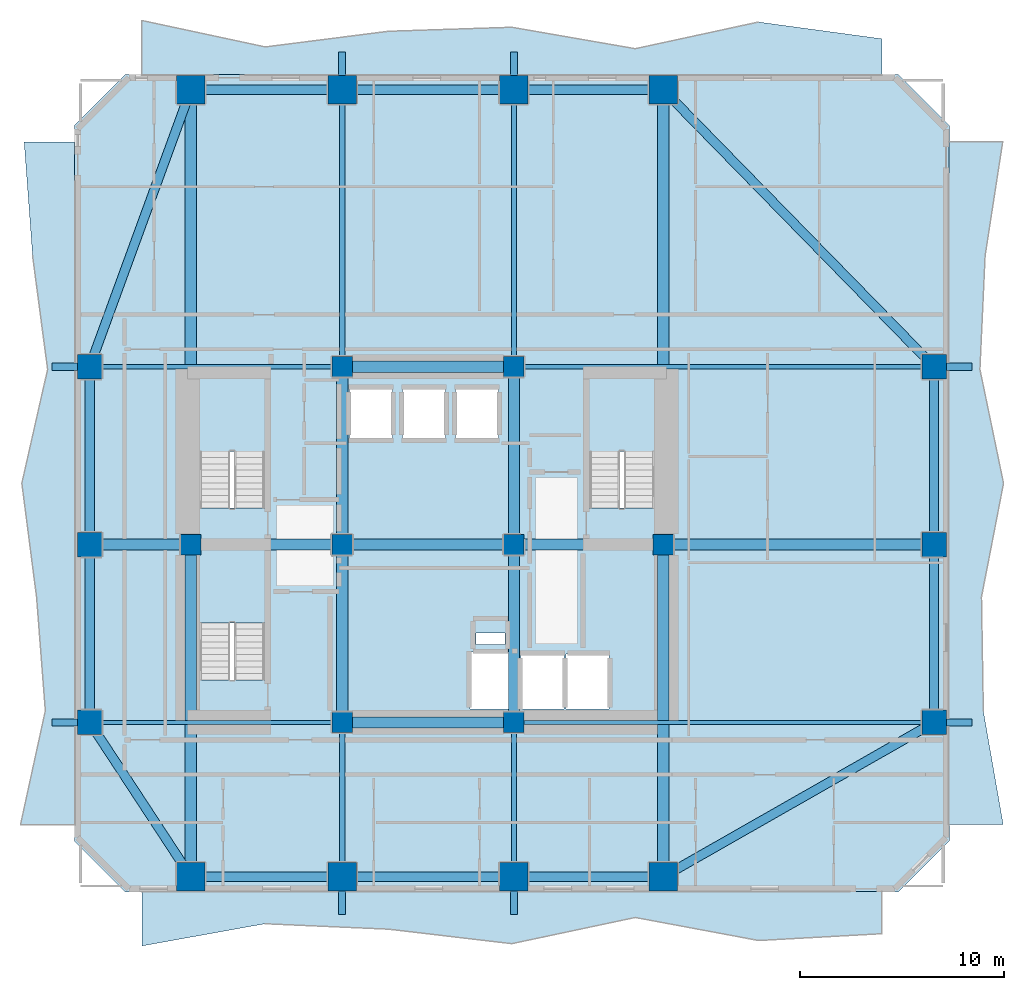
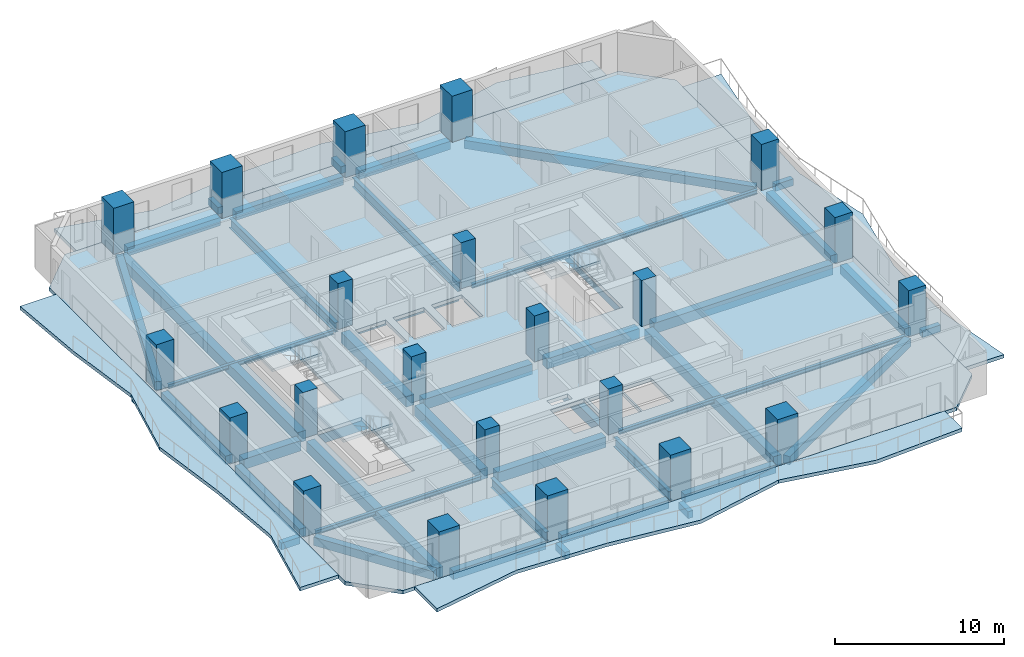
# One storey, part 1 of 11: 45 beams, 22 columns, 8 slabs, 3 elements without a shape of their own.
"""IFC4 building model written with IfcOpenShell, lengths in metres."""

from ifc_helpers import new_model, si_unit, direction, frame, origin, origin_2d, place, context, subcontext, project, spatial, polyline, rectangle, i_section, outline, extrude, material, layer, layer_set, material_profile, profile_set, type_object, element, aggregate, save


model = new_model("IFC4")

# Units and contexts
model_context = context("Model", 3, precision=1e-05, world=origin(), true_north=direction((0.0, 1.0)))
body_context = subcontext(model_context, "Body", "Model", "MODEL_VIEW")
ifc_project = project(units=[si_unit("LENGTHUNIT", "METRE"), si_unit("AREAUNIT", "SQUARE_METRE"), si_unit("VOLUMEUNIT", "CUBIC_METRE"), si_unit("PLANEANGLEUNIT", "RADIAN"), si_unit("MASSUNIT", "GRAM", prefix="KILO")], contexts=[model_context])

# Site, building, storey
site_placement = place(None, origin())
site = spatial("IfcSite", under=ifc_project, at=site_placement, CompositionType="ELEMENT")
building_placement = place(site_placement, origin())
building = spatial("IfcBuilding", under=site, at=building_placement, Name="Solanera Arch Residences", CompositionType="ELEMENT")
storey_placement = place(building_placement, frame((0.0, 0.0, 71.800048828125)))
storey = spatial("IfcBuildingStorey", under=building, at=storey_placement, Name="L20", CompositionType="ELEMENT", Elevation=71.800048828125)

# Columns
ifc_material_1 = material(Name="Concrete C55/67 (f'c = 60 MPa)", Category="concrete")
ifc_material_profile_1 = material_profile(ifc_material_1, rectangle(XDim=1.0, YDim=1.0, at=origin_2d()))
ifc_profile_set_1 = profile_set([ifc_material_profile_1], Name="Concrete C55/67 (f'c = 60 MPa)")
column_type_1 = type_object("IfcColumnType", Name="Structural Column RC-COL-1000X1000", PredefinedType="COLUMN", material=ifc_profile_set_1)
for number, where, z_axis, x_axis, name in (
    (1, (20.800048828125, 22.0, 0.0), (0.0, 0.0, 1.0), (1.0, 0.0, 0.0), "COL-L20-CB-SW"),
    (2, (29.199951171875, 22.0, 0.0), (0.0, 0.0, 1.0), (1.0, 0.0, 0.0), "COL-L20-CB-SE"),
    (3, (20.800048828125, 39.39990234375, 0.0), (0.0, 0.0, 1.0), (1.0, 0.0, 0.0), "COL-L20-CB-NW"),
    (4, (29.199951171875, 39.39990234375, 0.0), (0.0, 0.0, 1.0), (1.0, 0.0, 0.0), "COL-L20-CB-NE"),
    (5, (13.39990234375, 30.699951171875, 0.0), (0.0, 0.0, 1.0), (1.0, 0.0, 0.0), "COL-L20-CB-WW"),
    (6, (36.5, 30.699951171875, 0.0), (0.0, 0.0, 1.0), (1.0, 0.0, 0.0), "COL-L20-CB-EE"),
    (7, (20.800048828125, 30.699951171875, 0.0), (0.0, 0.0, 1.0), (1.0, 0.0, 0.0), "COL-L20-CORE-W"),
    (8, (29.199951171875, 30.699951171875, 0.0), (0.0, 0.0, 1.0), (1.0, 0.0, 0.0), "COL-L20-CORE-E"),
):
    element("IfcColumn", number, at=place(storey_placement, frame(where, z_axis=z_axis, x_axis=x_axis)), inside=storey, type_object=column_type_1, Name=name, PredefinedType="COLUMN", context=body_context, shape_type="SweptSolid", body=[
        extrude(rectangle(XDim=1.0, YDim=1.0, at=origin_2d()), origin(), (0.0, 0.0, 1.0), 3.320068359375),
    ])
ifc_material_2 = material(Name="Concrete C55/67 (f'c = 60 MPa)", Category="concrete")
ifc_material_profile_2 = material_profile(ifc_material_2, rectangle(XDim=1.199951171875, YDim=1.199951171875, at=origin_2d()))
ifc_profile_set_2 = profile_set([ifc_material_profile_2], Name="Concrete C55/67 (f'c = 60 MPa)")
column_type_2 = type_object("IfcColumnType", Name="Structural Column RC-COL-1200X1200", PredefinedType="COLUMN", material=ifc_profile_set_2)
for number, where, z_axis, x_axis, name in (
    (9, (8.449951171875, 22.0, 0.0), (0.0, 0.0, 1.0), (1.0, 0.0, 0.0), "COL-L20-TWR-09"),
    (10, (49.75, 22.0, 0.0), (0.0, 0.0, 1.0), (1.0, 0.0, 0.0), "COL-L20-TWR-10"),
    (11, (8.449951171875, 30.699951171875, 0.0), (0.0, 0.0, 1.0), (1.0, 0.0, 0.0), "COL-L20-TWR-11"),
    (12, (49.75, 30.699951171875, 0.0), (0.0, 0.0, 1.0), (1.0, 0.0, 0.0), "COL-L20-TWR-12"),
    (13, (8.449951171875, 39.39990234375, 0.0), (0.0, 0.0, 1.0), (1.0, 0.0, 0.0), "COL-L20-TWR-13"),
    (14, (49.75, 39.39990234375, 0.0), (0.0, 0.0, 1.0), (1.0, 0.0, 0.0), "COL-L20-TWR-14"),
):
    element("IfcColumn", number, at=place(storey_placement, frame(where, z_axis=z_axis, x_axis=x_axis)), inside=storey, type_object=column_type_2, Name=name, PredefinedType="COLUMN", context=body_context, shape_type="SweptSolid", body=[
        extrude(rectangle(XDim=1.199951171875, YDim=1.199951171875, at=origin_2d()), origin(), (0.0, 0.0, 1.0), 3.320068359375),
    ])
ifc_material_3 = material(Name="Concrete C55/67 (f'c = 60 MPa)", Category="concrete")
ifc_material_profile_3 = material_profile(ifc_material_3, rectangle(XDim=1.39990234375, YDim=1.39990234375, at=origin_2d()))
ifc_profile_set_3 = profile_set([ifc_material_profile_3], Name="Concrete C55/67 (f'c = 60 MPa)")
column_type_3 = type_object("IfcColumnType", Name="Structural Column RC-COL-1400X1400", PredefinedType="COLUMN", material=ifc_profile_set_3)
for number, where, z_axis, x_axis, name in (
    (15, (13.39990234375, 14.449951171875, 0.0), (0.0, 0.0, 1.0), (1.0, 0.0, 0.0), "COL-L20-TWR-01"),
    (16, (13.39990234375, 52.949951171875, 0.0), (0.0, 0.0, 1.0), (1.0, 0.0, 0.0), "COL-L20-TWR-02"),
    (17, (20.800048828125, 14.449951171875, 0.0), (0.0, 0.0, 1.0), (1.0, 0.0, 0.0), "COL-L20-TWR-03"),
    (18, (20.800048828125, 52.949951171875, 0.0), (0.0, 0.0, 1.0), (1.0, 0.0, 0.0), "COL-L20-TWR-04"),
    (19, (29.199951171875, 14.449951171875, 0.0), (0.0, 0.0, 1.0), (1.0, 0.0, 0.0), "COL-L20-TWR-05"),
    (20, (29.199951171875, 52.949951171875, 0.0), (0.0, 0.0, 1.0), (1.0, 0.0, 0.0), "COL-L20-TWR-06"),
    (21, (36.5, 14.449951171875, 0.0), (0.0, 0.0, 1.0), (1.0, 0.0, 0.0), "COL-L20-TWR-07"),
    (22, (36.5, 52.949951171875, 0.0), (0.0, 0.0, 1.0), (1.0, 0.0, 0.0), "COL-L20-TWR-08"),
):
    element("IfcColumn", number, at=place(storey_placement, frame(where, z_axis=z_axis, x_axis=x_axis)), inside=storey, type_object=column_type_3, Name=name, PredefinedType="COLUMN", context=body_context, shape_type="SweptSolid", body=[
        extrude(rectangle(XDim=1.39990234375, YDim=1.39990234375, at=origin_2d()), origin(), (0.0, 0.0, 1.0), 3.320068359375),
    ])

# Beams
ifc_material_4 = material(Name="Concrete C40/50 (f'c = 45 MPa)", Category="concrete")
ifc_material_profile_4 = material_profile(ifc_material_4, rectangle(XDim=0.35009765625, YDim=0.5, at=origin_2d()))
ifc_profile_set_4 = profile_set([ifc_material_profile_4], Name="Concrete C40/50 (f'c = 45 MPa)")
beam_type_1 = type_object("IfcBeamType", Name="BM-BALC-RIB", PredefinedType="BEAM", material=ifc_profile_set_4)
for number, where, z_axis, x_axis, name in (
    (23, (20.800048828125, 12.60009765625, -0.5), (0.0, 1.0, 0.0), (-1.0, 0.0, 0.0), "BM-L20-BRIB-S1"),
    (24, (29.199951171875, 12.60009765625, -0.5), (0.0, 1.0, 0.0), (-1.0, 0.0, 0.0), "BM-L20-BRIB-S2"),
):
    element("IfcBeam", number, at=place(storey_placement, frame(where, z_axis=z_axis, x_axis=x_axis)), inside=storey, type_object=beam_type_1, Name=name, PredefinedType="BEAM", context=body_context, shape_type="SweptSolid", body=[
        extrude(rectangle(XDim=0.35009765625, YDim=0.5, at=origin_2d()), origin(), (0.0, 0.0, 1.0), 1.14990234375),
    ])
for number, where, z_axis, x_axis, name in (
    (25, (20.800048828125, 53.64990234375, -0.5), (0.0, 1.0, 0.0), (-1.0, 0.0, 0.0), "BM-L20-BRIB-N1"),
    (26, (29.199951171875, 53.64990234375, -0.5), (0.0, 1.0, 0.0), (-1.0, 0.0, 0.0), "BM-L20-BRIB-N2"),
):
    element("IfcBeam", number, at=place(storey_placement, frame(where, z_axis=z_axis, x_axis=x_axis)), inside=storey, type_object=beam_type_1, Name=name, PredefinedType="BEAM", context=body_context, shape_type="SweptSolid", body=[
        extrude(rectangle(XDim=0.35009765625, YDim=0.5, at=origin_2d()), origin(), (0.0, 0.0, 1.0), 1.150146484375),
    ])
for number, where, z_axis, x_axis, name in (
    (27, (50.35009765625, 22.0, -0.5), (1.0, 0.0, 0.0), (0.0, 1.0, 0.0), "BM-L20-BRIB-E1"),
    (28, (50.35009765625, 39.39990234375, -0.5), (1.0, 0.0, 0.0), (0.0, 1.0, 0.0), "BM-L20-BRIB-E2"),
    (29, (6.60009765625, 22.0, -0.5), (1.0, 0.0, 0.0), (0.0, 1.0, 0.0), "BM-L20-BRIB-W1"),
    (30, (6.60009765625, 39.39990234375, -0.5), (1.0, 0.0, 0.0), (0.0, 1.0, 0.0), "BM-L20-BRIB-W2"),
):
    element("IfcBeam", number, at=place(storey_placement, frame(where, z_axis=z_axis, x_axis=x_axis)), inside=storey, type_object=beam_type_1, Name=name, PredefinedType="BEAM", context=body_context, shape_type="SweptSolid", body=[
        extrude(rectangle(XDim=0.35009765625, YDim=0.5, at=origin_2d()), origin(), (0.0, 0.0, 1.0), 1.25),
    ])
ifc_material_5 = material(Name="Concrete C40/50 (f'c = 45 MPa)", Category="concrete")
ifc_material_profile_5 = material_profile(ifc_material_5, rectangle(XDim=0.550048828125, YDim=0.75, at=origin_2d()))
ifc_profile_set_5 = profile_set([ifc_material_profile_5], Name="Concrete C40/50 (f'c = 45 MPa)")
beam_type_2 = type_object("IfcBeamType", Name="Primary Beam RC-BM-550X750", PredefinedType="BEAM", material=ifc_profile_set_5)
beam_1_placement = place(storey_placement, frame((20.800048828125, 22.50390625, -0.635009765625), z_axis=(0.0, 1.0, 0.0), x_axis=(-1.0, 0.0, 0.0)))
element("IfcBeam", 31, at=beam_1_placement, inside=storey, type_object=beam_type_2, Name="BM-L20-CC-S-208", PredefinedType="BEAM", context=body_context, shape_type="SweptSolid", body=[
    extrude(rectangle(XDim=0.550048828125, YDim=0.75, at=origin_2d()), origin(), (0.0, 0.0, 1.0), 7.692138671875),
])
beam_2_placement = place(storey_placement, frame((20.800048828125, 31.2041015625, -0.635009765625), z_axis=(0.0, 1.0, 0.0), x_axis=(-1.0, 0.0, 0.0)))
element("IfcBeam", 32, at=beam_2_placement, inside=storey, type_object=beam_type_2, Name="BM-L20-CC-N-208", PredefinedType="BEAM", context=body_context, shape_type="SweptSolid", body=[
    extrude(rectangle(XDim=0.550048828125, YDim=0.75, at=origin_2d()), origin(), (0.0, 0.0, 1.0), 7.69189453125),
])
beam_3_placement = place(storey_placement, frame((29.199951171875, 22.50390625, -0.635009765625), z_axis=(0.0, 1.0, 0.0), x_axis=(-1.0, 0.0, 0.0)))
element("IfcBeam", 33, at=beam_3_placement, inside=storey, type_object=beam_type_2, Name="BM-L20-CC-S-292", PredefinedType="BEAM", context=body_context, shape_type="SweptSolid", body=[
    extrude(rectangle(XDim=0.550048828125, YDim=0.75, at=origin_2d()), origin(), (0.0, 0.0, 1.0), 7.692138671875),
])
beam_4_placement = place(storey_placement, frame((29.199951171875, 31.2041015625, -0.635009765625), z_axis=(0.0, 1.0, 0.0), x_axis=(-1.0, 0.0, 0.0)))
element("IfcBeam", 34, at=beam_4_placement, inside=storey, type_object=beam_type_2, Name="BM-L20-CC-N-292", PredefinedType="BEAM", context=body_context, shape_type="SweptSolid", body=[
    extrude(rectangle(XDim=0.550048828125, YDim=0.75, at=origin_2d()), origin(), (0.0, 0.0, 1.0), 7.69189453125),
])
for number, where, z_axis, x_axis, name in (
    (35, (21.303955078125, 22.0, -0.635009765625), (1.0, 0.0, 0.0), (0.0, 1.0, 0.0), "BM-L20-CC-M-220"),
    (36, (21.303955078125, 30.699951171875, -0.635009765625), (1.0, 0.0, 0.0), (0.0, 1.0, 0.0), "BM-L20-CC-M-307"),
    (37, (21.303955078125, 39.39990234375, -0.635009765625), (1.0, 0.0, 0.0), (0.0, 1.0, 0.0), "BM-L20-CC-M-394"),
):
    element("IfcBeam", number, at=place(storey_placement, frame(where, z_axis=z_axis, x_axis=x_axis)), inside=storey, type_object=beam_type_2, Name=name, PredefinedType="BEAM", context=body_context, shape_type="SweptSolid", body=[
        extrude(rectangle(XDim=0.550048828125, YDim=0.75, at=origin_2d()), origin(), (0.0, 0.0, 1.0), 7.39208984375),
    ])
beam_5_placement = place(storey_placement, frame((13.904052734375, 30.699951171875, -0.635009765625), z_axis=(1.0, 0.0, 0.0), x_axis=(0.0, 1.0, 0.0)))
element("IfcBeam", 38, at=beam_5_placement, inside=storey, type_object=beam_type_2, Name="BM-L20-CC-W", PredefinedType="BEAM", context=body_context, shape_type="SweptSolid", body=[
    extrude(rectangle(XDim=0.550048828125, YDim=0.75, at=origin_2d()), origin(), (0.0, 0.0, 1.0), 6.391845703125),
])
beam_6_placement = place(storey_placement, frame((29.7041015625, 30.699951171875, -0.635009765625), z_axis=(1.0, 0.0, 0.0), x_axis=(0.0, 1.0, 0.0)))
element("IfcBeam", 39, at=beam_6_placement, inside=storey, type_object=beam_type_2, Name="BM-L20-CC-E", PredefinedType="BEAM", context=body_context, shape_type="SweptSolid", body=[
    extrude(rectangle(XDim=0.550048828125, YDim=0.75, at=origin_2d()), origin(), (0.0, 0.0, 1.0), 6.2919921875),
])
beam_7_placement = place(storey_placement, frame((13.39990234375, 14.989990234375, -0.635009765625), z_axis=(0.0, 1.0, 0.0), x_axis=(-1.0, 0.0, 0.0)))
element("IfcBeam", 40, at=beam_7_placement, inside=storey, type_object=beam_type_2, Name="BM-L20-RAD-OS-134", PredefinedType="BEAM", context=body_context, shape_type="SweptSolid", body=[
    extrude(rectangle(XDim=0.550048828125, YDim=0.75, at=origin_2d()), origin(), (0.0, 0.0, 1.0), 15.2060546875),
])
beam_8_placement = place(storey_placement, frame((13.39990234375, 31.2041015625, -0.635009765625), z_axis=(0.0, 1.0, 0.0), x_axis=(-1.0, 0.0, 0.0)))
element("IfcBeam", 41, at=beam_8_placement, inside=storey, type_object=beam_type_2, Name="BM-L20-RAD-ON-134", PredefinedType="BEAM", context=body_context, shape_type="SweptSolid", body=[
    extrude(rectangle(XDim=0.550048828125, YDim=0.75, at=origin_2d()), origin(), (0.0, 0.0, 1.0), 21.205810546875),
])
beam_9_placement = place(storey_placement, frame((36.5, 14.989990234375, -0.635009765625), z_axis=(0.0, 1.0, 0.0), x_axis=(-1.0, 0.0, 0.0)))
element("IfcBeam", 42, at=beam_9_placement, inside=storey, type_object=beam_type_2, Name="BM-L20-RAD-OS-365", PredefinedType="BEAM", context=body_context, shape_type="SweptSolid", body=[
    extrude(rectangle(XDim=0.550048828125, YDim=0.75, at=origin_2d()), origin(), (0.0, 0.0, 1.0), 15.2060546875),
])
beam_10_placement = place(storey_placement, frame((36.5, 31.2041015625, -0.635009765625), z_axis=(0.0, 1.0, 0.0), x_axis=(-1.0, 0.0, 0.0)))
element("IfcBeam", 43, at=beam_10_placement, inside=storey, type_object=beam_type_2, Name="BM-L20-RAD-ON-365", PredefinedType="BEAM", context=body_context, shape_type="SweptSolid", body=[
    extrude(rectangle(XDim=0.550048828125, YDim=0.75, at=origin_2d()), origin(), (0.0, 0.0, 1.0), 21.205810546875),
])
beam_11_placement = place(storey_placement, frame((8.989990234375, 30.699951171875, -0.635009765625), z_axis=(1.0, 0.0, 0.0), x_axis=(0.0, 1.0, 0.0)))
element("IfcBeam", 44, at=beam_11_placement, inside=storey, type_object=beam_type_2, Name="BM-L20-RAD-MW", PredefinedType="BEAM", context=body_context, shape_type="SweptSolid", body=[
    extrude(rectangle(XDim=0.550048828125, YDim=0.75, at=origin_2d()), origin(), (0.0, 0.0, 1.0), 3.906005859375),
])
beam_12_placement = place(storey_placement, frame((37.00390625, 30.699951171875, -0.635009765625), z_axis=(1.0, 0.0, 0.0), x_axis=(0.0, 1.0, 0.0)))
element("IfcBeam", 45, at=beam_12_placement, inside=storey, type_object=beam_type_2, Name="BM-L20-RAD-ME", PredefinedType="BEAM", context=body_context, shape_type="SweptSolid", body=[
    extrude(rectangle(XDim=0.550048828125, YDim=0.75, at=origin_2d()), origin(), (0.0, 0.0, 1.0), 12.2060546875),
])
ifc_material_6 = material(Name="Steel S355 (ASTM A992 / A572 Grade 50)", Category="steel")
ifc_material_profile_6 = material_profile(ifc_material_6, i_section(OverallWidth=0.256103515625, OverallDepth=0.693115234375, WebThickness=0.014404296875, FlangeThickness=0.023681640625, at=origin_2d()))
ifc_profile_set_6 = profile_set([ifc_material_profile_6], Name="Steel S355 (ASTM A992 / A572 Grade 50)")
beam_type_3 = type_object("IfcBeamType", Name="Primary Beam W690X170", PredefinedType="BEAM", material=ifc_profile_set_6)
beam_13_placement = place(storey_placement, frame((20.800048828125, 14.989990234375, -0.60595703125), z_axis=(0.0, 1.0, 0.0), x_axis=(-1.0, 0.0, 0.0)))
element("IfcBeam", 46, at=beam_13_placement, inside=storey, type_object=beam_type_3, Name="BM-L20-RAD-S-208", PredefinedType="BEAM", context=body_context, shape_type="SweptSolid", body=[
    extrude(i_section(OverallWidth=0.256103515625, OverallDepth=0.693115234375, WebThickness=0.014404296875, FlangeThickness=0.023681640625, at=origin_2d()), origin(), (0.0, 0.0, 1.0), 6.506103515625),
])
beam_14_placement = place(storey_placement, frame((20.800048828125, 39.904052734375, -0.60595703125), z_axis=(0.0, 1.0, 0.0), x_axis=(-1.0, 0.0, 0.0)))
element("IfcBeam", 47, at=beam_14_placement, inside=storey, type_object=beam_type_3, Name="BM-L20-RAD-N-208", PredefinedType="BEAM", context=body_context, shape_type="SweptSolid", body=[
    extrude(i_section(OverallWidth=0.256103515625, OverallDepth=0.693115234375, WebThickness=0.014404296875, FlangeThickness=0.023681640625, at=origin_2d()), origin(), (0.0, 0.0, 1.0), 12.505859375),
])
beam_15_placement = place(storey_placement, frame((29.199951171875, 14.989990234375, -0.60595703125), z_axis=(0.0, 1.0, 0.0), x_axis=(-1.0, 0.0, 0.0)))
element("IfcBeam", 48, at=beam_15_placement, inside=storey, type_object=beam_type_3, Name="BM-L20-RAD-S-292", PredefinedType="BEAM", context=body_context, shape_type="SweptSolid", body=[
    extrude(i_section(OverallWidth=0.256103515625, OverallDepth=0.693115234375, WebThickness=0.014404296875, FlangeThickness=0.023681640625, at=origin_2d()), origin(), (0.0, 0.0, 1.0), 6.506103515625),
])
beam_16_placement = place(storey_placement, frame((29.199951171875, 39.904052734375, -0.60595703125), z_axis=(0.0, 1.0, 0.0), x_axis=(-1.0, 0.0, 0.0)))
element("IfcBeam", 49, at=beam_16_placement, inside=storey, type_object=beam_type_3, Name="BM-L20-RAD-N-292", PredefinedType="BEAM", context=body_context, shape_type="SweptSolid", body=[
    extrude(i_section(OverallWidth=0.256103515625, OverallDepth=0.693115234375, WebThickness=0.014404296875, FlangeThickness=0.023681640625, at=origin_2d()), origin(), (0.0, 0.0, 1.0), 12.505859375),
])
ifc_material_7 = material(Name="Steel S355 (ASTM A992 / A572 Grade 50)", Category="steel")
ifc_material_profile_7 = material_profile(ifc_material_7, i_section(OverallWidth=0.202880859375, OverallDepth=0.302978515625, WebThickness=0.007568359375, FlangeThickness=0.01318359375, at=origin_2d()))
ifc_profile_set_7 = profile_set([ifc_material_profile_7], Name="Steel S355 (ASTM A992 / A572 Grade 50)")
beam_type_4 = type_object("IfcBeamType", Name="Secondary Joist W310X60", PredefinedType="JOIST", material=ifc_profile_set_7)
beam_17_placement = place(storey_placement, frame((8.989990234375, 22.0, -0.4111328125), z_axis=(1.0, 0.0, 0.0), x_axis=(0.0, 1.0, 0.0)))
element("IfcBeam", 50, at=beam_17_placement, inside=storey, type_object=beam_type_4, Name="BM-L20-RAD-W-220", PredefinedType="JOIST", context=body_context, shape_type="SweptSolid", body=[
    extrude(i_section(OverallWidth=0.202880859375, OverallDepth=0.302978515625, WebThickness=0.007568359375, FlangeThickness=0.01318359375, at=origin_2d()), origin(), (0.0, 0.0, 1.0), 11.305908203125),
])
beam_18_placement = place(storey_placement, frame((29.7041015625, 22.0, -0.4111328125), z_axis=(1.0, 0.0, 0.0), x_axis=(0.0, 1.0, 0.0)))
element("IfcBeam", 51, at=beam_18_placement, inside=storey, type_object=beam_type_4, Name="BM-L20-RAD-E-220", PredefinedType="JOIST", context=body_context, shape_type="SweptSolid", body=[
    extrude(i_section(OverallWidth=0.202880859375, OverallDepth=0.302978515625, WebThickness=0.007568359375, FlangeThickness=0.01318359375, at=origin_2d()), origin(), (0.0, 0.0, 1.0), 19.505859375),
])
beam_19_placement = place(storey_placement, frame((8.989990234375, 39.39990234375, -0.4111328125), z_axis=(1.0, 0.0, 0.0), x_axis=(0.0, 1.0, 0.0)))
element("IfcBeam", 52, at=beam_19_placement, inside=storey, type_object=beam_type_4, Name="BM-L20-RAD-W-394", PredefinedType="JOIST", context=body_context, shape_type="SweptSolid", body=[
    extrude(i_section(OverallWidth=0.202880859375, OverallDepth=0.302978515625, WebThickness=0.007568359375, FlangeThickness=0.01318359375, at=origin_2d()), origin(), (0.0, 0.0, 1.0), 11.305908203125),
])
beam_20_placement = place(storey_placement, frame((29.7041015625, 39.39990234375, -0.4111328125), z_axis=(1.0, 0.0, 0.0), x_axis=(0.0, 1.0, 0.0)))
element("IfcBeam", 53, at=beam_20_placement, inside=storey, type_object=beam_type_4, Name="BM-L20-RAD-E-394", PredefinedType="JOIST", context=body_context, shape_type="SweptSolid", body=[
    extrude(i_section(OverallWidth=0.202880859375, OverallDepth=0.302978515625, WebThickness=0.007568359375, FlangeThickness=0.01318359375, at=origin_2d()), origin(), (0.0, 0.0, 1.0), 19.505859375),
])
ifc_material_8 = material(Name="Concrete C40/50 (f'c = 45 MPa)", Category="concrete")
ifc_material_profile_8 = material_profile(ifc_material_8, rectangle(XDim=0.449951171875, YDim=0.60009765625, at=origin_2d()))
ifc_profile_set_8 = profile_set([ifc_material_profile_8], Name="Concrete C40/50 (f'c = 45 MPa)")
beam_type_5 = type_object("IfcBeamType", Name="Spandrel Beam RC-BM-450X600", PredefinedType="SPANDREL", material=ifc_profile_set_8)
for number, where, z_axis, x_axis, name in (
    (54, (13.93994140625, 14.449951171875, -0.56005859375), (1.0, 0.0, 0.0), (0.0, 1.0, 0.0), "BM-L20-SPN-S-1"),
    (55, (13.93994140625, 52.949951171875, -0.56005859375), (1.0, 0.0, 0.0), (0.0, 1.0, 0.0), "BM-L20-SPN-N-1"),
):
    element("IfcBeam", number, at=place(storey_placement, frame(where, z_axis=z_axis, x_axis=x_axis)), inside=storey, type_object=beam_type_5, Name=name, PredefinedType="SPANDREL", context=body_context, shape_type="SweptSolid", body=[
        extrude(rectangle(XDim=0.449951171875, YDim=0.60009765625, at=origin_2d()), origin(), (0.0, 0.0, 1.0), 6.320068359375),
    ])
for number, where, z_axis, x_axis, name in (
    (56, (21.340087890625, 14.449951171875, -0.56005859375), (1.0, 0.0, 0.0), (0.0, 1.0, 0.0), "BM-L20-SPN-S-2"),
    (57, (21.340087890625, 52.949951171875, -0.56005859375), (1.0, 0.0, 0.0), (0.0, 1.0, 0.0), "BM-L20-SPN-N-2"),
):
    element("IfcBeam", number, at=place(storey_placement, frame(where, z_axis=z_axis, x_axis=x_axis)), inside=storey, type_object=beam_type_5, Name=name, PredefinedType="SPANDREL", context=body_context, shape_type="SweptSolid", body=[
        extrude(rectangle(XDim=0.449951171875, YDim=0.60009765625, at=origin_2d()), origin(), (0.0, 0.0, 1.0), 7.31982421875),
    ])
for number, where, z_axis, x_axis, name in (
    (58, (29.739990234375, 14.449951171875, -0.56005859375), (1.0, 0.0, 0.0), (0.0, 1.0, 0.0), "BM-L20-SPN-S-3"),
    (59, (29.739990234375, 52.949951171875, -0.56005859375), (1.0, 0.0, 0.0), (0.0, 1.0, 0.0), "BM-L20-SPN-N-3"),
):
    element("IfcBeam", number, at=place(storey_placement, frame(where, z_axis=z_axis, x_axis=x_axis)), inside=storey, type_object=beam_type_5, Name=name, PredefinedType="SPANDREL", context=body_context, shape_type="SweptSolid", body=[
        extrude(rectangle(XDim=0.449951171875, YDim=0.60009765625, at=origin_2d()), origin(), (0.0, 0.0, 1.0), 6.219970703125),
    ])
for number, where, z_axis, x_axis, name in (
    (60, (8.449951171875, 22.5400390625, -0.56005859375), (0.0, 1.0, 0.0), (-1.0, 0.0, 0.0), "BM-L20-SPN-W-1"),
    (61, (49.75, 22.5400390625, -0.56005859375), (0.0, 1.0, 0.0), (-1.0, 0.0, 0.0), "BM-L20-SPN-E-1"),
):
    element("IfcBeam", number, at=place(storey_placement, frame(where, z_axis=z_axis, x_axis=x_axis)), inside=storey, type_object=beam_type_5, Name=name, PredefinedType="SPANDREL", context=body_context, shape_type="SweptSolid", body=[
        extrude(rectangle(XDim=0.449951171875, YDim=0.60009765625, at=origin_2d()), origin(), (0.0, 0.0, 1.0), 7.619873046875),
    ])
for number, where, z_axis, x_axis, name in (
    (62, (8.449951171875, 31.239990234375, -0.56005859375), (0.0, 1.0, 0.0), (-1.0, 0.0, 0.0), "BM-L20-SPN-W-2"),
    (63, (49.75, 31.239990234375, -0.56005859375), (0.0, 1.0, 0.0), (-1.0, 0.0, 0.0), "BM-L20-SPN-E-2"),
):
    element("IfcBeam", number, at=place(storey_placement, frame(where, z_axis=z_axis, x_axis=x_axis)), inside=storey, type_object=beam_type_5, Name=name, PredefinedType="SPANDREL", context=body_context, shape_type="SweptSolid", body=[
        extrude(rectangle(XDim=0.449951171875, YDim=0.60009765625, at=origin_2d()), origin(), (0.0, 0.0, 1.0), 7.6201171875),
    ])
beam_21_placement = place(storey_placement, frame((13.10400390625, 14.902099609375, -0.56005859375), z_axis=(-0.548346397052, 0.836251295269, 0.0), x_axis=(-0.836251295269, -0.548346397052, 0.0)))
element("IfcBeam", 64, at=beam_21_placement, inside=storey, type_object=beam_type_5, Name="BM-L20-SPN-SW", PredefinedType="SPANDREL", context=body_context, shape_type="SweptSolid", body=[
    extrude(rectangle(XDim=0.449951171875, YDim=0.60009765625, at=origin_2d()), origin(), (0.0, 0.0, 1.0), 7.947265625),
])
beam_22_placement = place(storey_placement, frame((13.215087890625, 52.443115234375, -0.56005859375), z_axis=(-0.343164401189, -0.939275355663, 0.0), x_axis=(0.939275355663, -0.343164401189, 0.0)))
element("IfcBeam", 65, at=beam_22_placement, inside=storey, type_object=beam_type_5, Name="BM-L20-SPN-NW", PredefinedType="SPANDREL", context=body_context, shape_type="SweptSolid", body=[
    extrude(rectangle(XDim=0.449951171875, YDim=0.60009765625, at=origin_2d()), origin(), (0.0, 0.0, 1.0), 13.3466796875),
])
beam_23_placement = place(storey_placement, frame((36.968994140625, 14.717041015625, -0.56005859375), z_axis=(0.868837301814, 0.495097710534, 0.0), x_axis=(-0.495097710534, 0.868837301814, 0.0)))
element("IfcBeam", 66, at=beam_23_placement, inside=storey, type_object=beam_type_5, Name="BM-L20-SPN-SE", PredefinedType="SPANDREL", context=body_context, shape_type="SweptSolid", body=[
    extrude(rectangle(XDim=0.449951171875, YDim=0.60009765625, at=origin_2d()), origin(), (0.0, 0.0, 1.0), 14.170654296875),
])
beam_24_placement = place(storey_placement, frame((36.8779296875, 52.56396484375, -0.56005859375), z_axis=(0.699118252724, -0.715006062008, 0.0), x_axis=(0.715006062008, 0.699118252724, 0.0)))
element("IfcBeam", 67, at=beam_24_placement, inside=storey, type_object=beam_type_5, Name="BM-L20-SPN-NE", PredefinedType="SPANDREL", context=body_context, shape_type="SweptSolid", body=[
    extrude(rectangle(XDim=0.449951171875, YDim=0.60009765625, at=origin_2d()), origin(), (0.0, 0.0, 1.0), 17.871337890625),
])

# Slabs
ifc_material_9 = material(Name="Concrete C40/50 (f'c = 45 MPa)", Category="concrete")
ifc_layer_1 = layer(ifc_material_9, 0.25)
ifc_layer_set_1 = layer_set([ifc_layer_1], Name="Concrete C40/50 (f'c = 45 MPa)")
slab_type_1 = type_object("IfcSlabType", Name="Balcony Slab 250", PredefinedType="FLOOR", material=ifc_layer_set_1)
slab_1_placement = place(storey_placement, frame((0.0, 0.0, -0.25)))
element("IfcSlab", 68, at=slab_1_placement, inside=storey, type_object=slab_type_1, Name="L20 S Rippling Brise-Soleil Balcony Slab", PredefinedType="FLOOR", context=body_context, shape_type="SweptSolid", body=[
    extrude(outline(polyline([(11.0, 11.06591796875), (17.032958984375, 12.154052734375), (23.06689453125, 11.888916015625), (29.10009765625, 11.179931640625), (35.133056640625, 12.4609375), (41.1669921875, 11.3349609375), (47.199951171875, 11.6669921875), (47.199951171875, 13.719970703125), (11.0, 13.719970703125), (11.0, 11.06591796875)])), origin(), (0.0, 0.0, 1.0), 0.25),
])
slab_2_placement = place(storey_placement, frame((0.0, 0.0, -0.25)))
element("IfcSlab", 69, at=slab_2_placement, inside=storey, type_object=slab_type_1, Name="L20 N Rippling Brise-Soleil Balcony Slab", PredefinedType="FLOOR", context=body_context, shape_type="SweptSolid", body=[
    extrude(outline(polyline([(47.199951171875, 55.43798828125), (41.1669921875, 56.259033203125), (35.133056640625, 54.9541015625), (29.10009765625, 56.0029296875), (23.06689453125, 55.805908203125), (17.032958984375, 55.0400390625), (11.0, 56.333984375), (11.0, 53.679931640625), (47.199951171875, 53.679931640625), (47.199951171875, 55.43798828125)])), origin(), (0.0, 0.0, 1.0), 0.25),
])
slab_3_placement = place(storey_placement, frame((0.0, 0.0, -0.25)))
element("IfcSlab", 70, at=slab_3_placement, inside=storey, type_object=slab_type_1, Name="L20 E Rippling Brise-Soleil Balcony Slab", PredefinedType="FLOOR", context=body_context, shape_type="SweptSolid", body=[
    extrude(outline(polyline([(53.134033203125, 17.0), (52.159912109375, 22.56689453125), (52.069091796875, 28.133056640625), (53.14794921875, 33.699951171875), (51.992919921875, 39.26708984375), (52.2470703125, 44.8330078125), (53.10888671875, 50.39990234375), (50.47998046875, 50.39990234375), (50.47998046875, 17.0), (53.134033203125, 17.0)])), origin(), (0.0, 0.0, 1.0), 0.25),
])
slab_4_placement = place(storey_placement, frame((0.0, 0.0, -0.25)))
element("IfcSlab", 71, at=slab_4_placement, inside=storey, type_object=slab_type_1, Name="L20 W Rippling Brise-Soleil Balcony Slab", PredefinedType="FLOOR", context=body_context, shape_type="SweptSolid", body=[
    extrude(outline(polyline([(5.2451171875, 50.39990234375), (5.657958984375, 44.8330078125), (6.39306640625, 39.26708984375), (5.132080078125, 33.699951171875), (5.85302734375, 28.133056640625), (6.281005859375, 22.56689453125), (5.06591796875, 17.0), (7.719970703125, 17.0), (7.719970703125, 50.39990234375), (5.2451171875, 50.39990234375)])), origin(), (0.0, 0.0, 1.0), 0.25),
])

# Stair, slab
ifc_material_10 = material(Name="Concrete C40/50 (f'c = 45 MPa)", Category="concrete")
stair_type = type_object("IfcStairType", Name="Tower Dogleg Exit Stair 1480", PredefinedType="HALF_TURN_STAIR", material=ifc_material_10)
stair_1_placement = place(storey_placement, origin())
stair_1 = element("IfcStair", 72, at=stair_1_placement, inside=storey, type_object=stair_type, Name="L20 Tower Core Exit Stair 1", PredefinedType="HALF_TURN_STAIR")
ifc_material_11 = material(Name="Concrete C40/50 (f'c = 45 MPa)", Category="concrete")
ifc_layer_2 = layer(ifc_material_11, 0.199951171875)
ifc_layer_set_2 = layer_set([ifc_layer_2], Name="Concrete C40/50 (f'c = 45 MPa)")
slab_type_2 = type_object("IfcSlabType", Name="Stair Half-Landing Slab 200", PredefinedType="LANDING", material=ifc_layer_set_2)
slab_5_placement = place(storey_placement, frame((0.0, 0.0, 1.4599609375)))
slab_5 = element("IfcSlab", 73, at=slab_5_placement, type_object=slab_type_2, Name="ST-T1 landing 1", PredefinedType="LANDING", context=body_context, shape_type="SweptSolid", body=[
    extrude(outline(polyline([(17.1201171875, 35.260009765625), (17.1201171875, 38.919921875), (13.719970703125, 38.919921875), (13.719970703125, 35.260009765625), (17.1201171875, 35.260009765625)])), origin(), (0.0, 0.0, 1.0), 0.199951171875),
])
aggregate(stair_1, [slab_5])

stair_2_placement = place(storey_placement, origin())
stair_2 = element("IfcStair", 74, at=stair_2_placement, inside=storey, type_object=stair_type, Name="L20 Tower Core Exit Stair 2", PredefinedType="HALF_TURN_STAIR")
slab_6_placement = place(storey_placement, frame((0.0, 0.0, 1.4599609375)))
slab_6 = element("IfcSlab", 75, at=slab_6_placement, type_object=slab_type_2, Name="ST-T2 landing 1", PredefinedType="LANDING", context=body_context, shape_type="SweptSolid", body=[
    extrude(outline(polyline([(36.179931640625, 35.260009765625), (36.179931640625, 38.919921875), (32.780029296875, 38.919921875), (32.780029296875, 35.260009765625), (36.179931640625, 35.260009765625)])), origin(), (0.0, 0.0, 1.0), 0.199951171875),
])
aggregate(stair_2, [slab_6])

stair_3_placement = place(storey_placement, origin())
stair_3 = element("IfcStair", 76, at=stair_3_placement, inside=storey, type_object=stair_type, Name="L20 Tower Core Exit Stair 3", PredefinedType="HALF_TURN_STAIR")
slab_7_placement = place(storey_placement, frame((0.0, 0.0, 1.4599609375)))
slab_7 = element("IfcSlab", 77, at=slab_7_placement, type_object=slab_type_2, Name="ST-T3 landing 1", PredefinedType="LANDING", context=body_context, shape_type="SweptSolid", body=[
    extrude(outline(polyline([(17.1201171875, 26.860107421875), (17.1201171875, 30.52001953125), (13.719970703125, 30.52001953125), (13.719970703125, 26.860107421875), (17.1201171875, 26.860107421875)])), origin(), (0.0, 0.0, 1.0), 0.199951171875),
])
aggregate(stair_3, [slab_7])

# Slab
ifc_material_12 = material(Name="Concrete C40/50 (f'c = 45 MPa)", Category="concrete")
ifc_layer_3 = layer(ifc_material_12, 0.260009765625)
ifc_layer_set_3 = layer_set([ifc_layer_3], Name="Concrete C40/50 (f'c = 45 MPa)")
slab_type_3 = type_object("IfcSlabType", Name="Suspended Floor Slab Post-Tensioned 260", PredefinedType="FLOOR", material=ifc_layer_set_3)
slab_8_placement = place(storey_placement, frame((0.0, 0.0, -0.260009765625)))
element("IfcSlab", 78, at=slab_8_placement, inside=storey, type_object=slab_type_3, Name="L20 Tower Post-Tensioned Floor Slab", PredefinedType="FLOOR", context=body_context, shape_type="SweptSolid", body=[
    extrude(outline(polyline([(10.199951171875, 13.699951171875), (48.0, 13.699951171875), (50.5, 16.199951171875), (50.5, 51.199951171875), (48.0, 53.699951171875), (10.199951171875, 53.699951171875), (7.699951171875, 51.199951171875), (7.699951171875, 16.199951171875), (10.199951171875, 13.699951171875)]), holes=[polyline([(13.840087890625, 32.48291015625), (13.840087890625, 38.800048828125), (17.0, 38.800048828125), (17.0, 32.48291015625), (13.840087890625, 32.48291015625)]), polyline([(32.89990234375, 32.48291015625), (32.89990234375, 38.800048828125), (36.06005859375, 38.800048828125), (36.06005859375, 32.48291015625), (32.89990234375, 32.48291015625)]), polyline([(13.840087890625, 24.0830078125), (13.840087890625, 30.39990234375), (17.0, 30.39990234375), (17.0, 24.0830078125), (13.840087890625, 24.0830078125)]), polyline([(21.14990234375, 38.35009765625), (23.25, 38.35009765625), (23.25, 35.85009765625), (21.14990234375, 35.85009765625), (21.14990234375, 38.35009765625)]), polyline([(23.75, 38.35009765625), (25.85009765625, 38.35009765625), (25.85009765625, 35.85009765625), (23.75, 35.85009765625), (23.75, 38.35009765625)]), polyline([(26.35009765625, 38.35009765625), (28.449951171875, 38.35009765625), (28.449951171875, 35.85009765625), (26.35009765625, 35.85009765625), (26.35009765625, 38.35009765625)]), polyline([(29.550048828125, 25.35009765625), (31.64990234375, 25.35009765625), (31.64990234375, 22.64990234375), (29.550048828125, 22.64990234375), (29.550048828125, 25.35009765625)]), polyline([(31.75, 25.35009765625), (33.85009765625, 25.35009765625), (33.85009765625, 22.64990234375), (31.75, 22.64990234375), (31.75, 25.35009765625)]), polyline([(27.050048828125, 25.449951171875), (29.35009765625, 25.449951171875), (29.35009765625, 22.64990234375), (27.050048828125, 22.64990234375), (27.050048828125, 25.449951171875)]), polyline([(27.340087890625, 26.3798828125), (28.760009765625, 26.3798828125), (28.760009765625, 25.820068359375), (27.340087890625, 25.820068359375), (27.340087890625, 26.3798828125)])]), origin(), (0.0, 0.0, 1.0), 0.260009765625),
])

save(model, "model.ifc")
